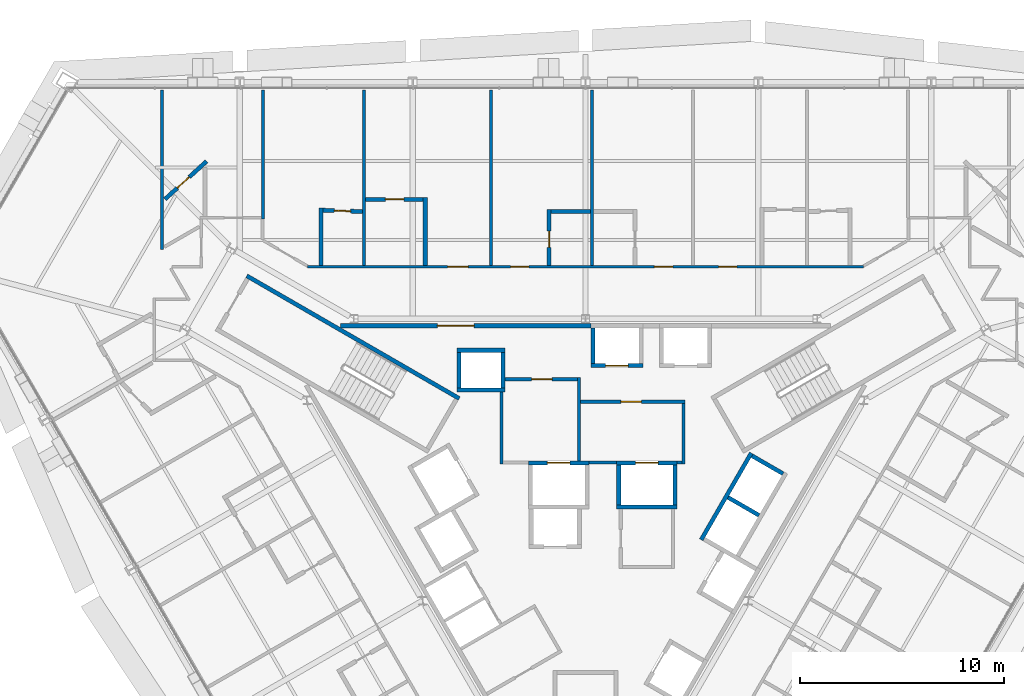
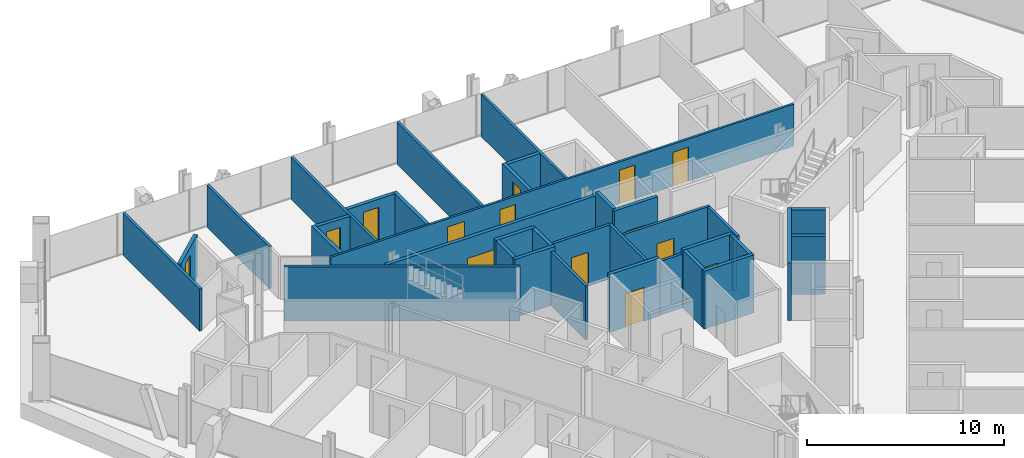
# One storey, part 13 of 17: 36 walls, 14 doors, 14 openings.
"""IFC4 building model written with IfcOpenShell, lengths in metres."""

import ifcopenshell
import ifcopenshell.guid

model = None  # the IFC model being written
_history = None  # IfcOwnerHistory: only IFC2X3 demands one
_inside = {}  # id of a spatial element -> (the spatial element, [elements in it])
_under = {}  # id of a project, library or spatial element -> (it, [spatial elements below it])
_declared = {}  # id of a project -> (the project, [libraries it declares])
_typed = {}  # id of a type object -> (the type object, [elements of that type])
_made_of = {}  # id of a material, layer set ... -> (it, [elements and type objects made of it])


def new_model(schema):
    """Start an empty IFC model of exactly this schema.

    Asked for "IFC4X3", IfcOpenShell would pick the latest addendum, in which some entities
    have other attributes; the version numbers below select the first issue.
    IFC2X3 requires an IfcOwnerHistory on every rooted entity: one is made here for all.
    """
    global model, _history
    if schema == "IFC4X3":
        model = ifcopenshell.file(schema_version=(4, 3, 0, 0))
    else:
        model = ifcopenshell.file(schema=schema)
    _inside.clear()
    _under.clear()
    _declared.clear()
    _typed.clear()
    _made_of.clear()
    _history = None
    if model.schema == "IFC2X3":
        org = make("IfcOrganization", Name="unknown")
        user = make(
            "IfcPersonAndOrganization",
            ThePerson=make("IfcPerson", FamilyName="unknown"),
            TheOrganization=org,
        )
        app = make(
            "IfcApplication",
            ApplicationDeveloper=org,
            Version="unknown",
            ApplicationFullName="unknown",
            ApplicationIdentifier="unknown",
        )
        _history = make(
            "IfcOwnerHistory",
            OwningUser=user,
            OwningApplication=app,
            ChangeAction="ADDED",
            CreationDate=0,
        )
    return model


def make(cls, **values):
    """One entity of the class cls with the attributes given. An attribute that is None is left unset."""
    return model.create_entity(
        cls, **{name: value for name, value in values.items() if value is not None}
    )


def rooted(cls, **values):
    """An entity with a GlobalId (a new one), such as an element, a storey or a relation."""
    return make(cls, GlobalId=ifcopenshell.guid.new(), OwnerHistory=_history, **values)


def si_unit(unit_type, name, prefix=None):
    """IfcSIUnit, for example si_unit("LENGTHUNIT", "METRE", prefix="MILLI")."""
    return make("IfcSIUnit", UnitType=unit_type, Prefix=prefix, Name=name)


def assignment(units):
    """IfcUnitAssignment: the units of a project."""
    return None if units is None else make("IfcUnitAssignment", Units=units)


def point(xyz):
    """IfcCartesianPoint."""
    return None if xyz is None else make("IfcCartesianPoint", Coordinates=xyz)


def direction(xyz):
    """IfcDirection."""
    return None if xyz is None else make("IfcDirection", DirectionRatios=xyz)


def frame(location, z_axis=None, x_axis=None):
    """IfcAxis2Placement3D, a coordinate frame: its origin and axes. An axis left out is left unset."""
    return make(
        "IfcAxis2Placement3D",
        Location=point(location),
        Axis=direction(z_axis),
        RefDirection=direction(x_axis),
    )


def frame_2d(location, x_axis=None):
    """IfcAxis2Placement2D, a coordinate frame in the plane: its origin and x axis."""
    return make(
        "IfcAxis2Placement2D", Location=point(location), RefDirection=direction(x_axis)
    )


def origin():
    """The frame at (0, 0, 0) with its axes left unset."""
    return frame((0.0, 0.0, 0.0))


def place(relative_to, where):
    """IfcLocalPlacement: puts the frame where relative to a parent placement (None: the world)."""
    return make(
        "IfcLocalPlacement", PlacementRelTo=relative_to, RelativePlacement=where
    )


def context(
    kind, dimensions, precision=None, world=None, true_north=None, identifier=None
):
    """IfcGeometricRepresentationContext, for example the 3D "Model" context."""
    return make(
        "IfcGeometricRepresentationContext",
        ContextIdentifier=identifier,
        ContextType=kind,
        CoordinateSpaceDimension=dimensions,
        Precision=precision,
        WorldCoordinateSystem=world,
        TrueNorth=true_north,
    )


def subcontext(parent, identifier, kind, view, scale=None):
    """IfcGeometricRepresentationSubContext, for example "Body" below "Model"."""
    return make(
        "IfcGeometricRepresentationSubContext",
        ContextIdentifier=identifier,
        ContextType=kind,
        ParentContext=parent,
        TargetScale=scale,
        TargetView=view,
    )


def project(units=None, contexts=None):
    """IfcProject with its units and contexts."""
    return rooted(
        "IfcProject",
        Name="project",
        RepresentationContexts=contexts,
        UnitsInContext=assignment(units),
    )


def spatial(cls, under=None, at=None, **own):
    """A site, building, storey or space (cls), placed at a placement, below another one or the project."""
    s = rooted(cls, ObjectPlacement=at, **own)
    if under is not None:
        _under.setdefault(under.id(), (under, []))[1].append(s)
    return s


def profile(cls, at=None, kind="AREA", **sizes):
    """A parametric profile (cls). Its sizes go by their IFC names, for example OverallWidth=200.0."""
    return make(cls, ProfileType=kind, Position=at, **sizes)


def rectangle(**sizes):
    """IfcRectangleProfileDef."""
    return profile("IfcRectangleProfileDef", **sizes)


def extrude(swept, where, along, depth):
    """IfcExtrudedAreaSolid: the profile swept, set in the frame where, extruded along a direction by depth."""
    return make(
        "IfcExtrudedAreaSolid",
        SweptArea=swept,
        Position=where,
        ExtrudedDirection=direction(along),
        Depth=depth,
    )


def shape(context_of_items, identifier, shape_type, items):
    """IfcShapeRepresentation: the items that make up one representation, for example the "Body"."""
    return make(
        "IfcShapeRepresentation",
        ContextOfItems=context_of_items,
        RepresentationIdentifier=identifier,
        RepresentationType=shape_type,
        Items=items,
    )


def material(Name=None, Category=None):
    """IfcMaterial."""
    return make("IfcMaterial", Name=Name, Category=Category)


def layer(
    of_material, thickness, ventilated=None, Name=None, Category=None, Priority=None
):
    """IfcMaterialLayer: one layer of a wall or slab, of a material (None: an air gap)."""
    return make(
        "IfcMaterialLayer",
        Material=of_material,
        LayerThickness=thickness,
        IsVentilated=ventilated,
        Name=Name,
        Category=Category,
        Priority=Priority,
    )


def layer_set(layers, Name=None):
    """IfcMaterialLayerSet."""
    return make("IfcMaterialLayerSet", MaterialLayers=layers, LayerSetName=Name)


def made_of(thing, what):
    """Note that an element or type object is made of a material, layer set ...; save() writes the relation."""
    if what is not None:
        _made_of.setdefault(what.id(), (what, []))[1].append(thing)
    return thing


def type_object(cls, material=None, **own):
    """A type object (cls), such as IfcWallType, which elements share."""
    return made_of(rooted(cls, **own), material)


def element(
    cls,
    number,
    at=None,
    inside=None,
    cuts=None,
    type_object=None,
    material=None,
    context=None,
    identifier="Body",
    shape_type=None,
    held_by="IfcProductDefinitionShape",
    body=None,
    shapes=None,
    **own,
):
    """One element of the class cls, such as IfcWall. Its Tag is "e" and its number.

    at: its placement. inside: the storey or other place that contains it. cuts: it is an
    opening in that element (IfcRelVoidsElement). A single representation is given by context,
    identifier, shape_type and body (its items); several are given by shapes. held_by: the class
    of the entity that holds the representations. save() writes the other relations.
    """
    e = rooted(cls, Tag="e%d" % number, ObjectPlacement=at, **own)
    if body is not None:
        shapes = [shape(context, identifier, shape_type, body)]
    if shapes is not None:
        e.Representation = make(held_by, Representations=shapes)
    if inside is not None:
        _inside.setdefault(inside.id(), (inside, []))[1].append(e)
    if cuts is not None:
        rooted(
            "IfcRelVoidsElement", RelatingBuildingElement=cuts, RelatedOpeningElement=e
        )
    if type_object is not None:
        _typed.setdefault(type_object.id(), (type_object, []))[1].append(e)
    return made_of(e, material)


def fill(opening, filler):
    """IfcRelFillsElement: the door or window that sits in an opening."""
    return rooted(
        "IfcRelFillsElement",
        RelatingOpeningElement=opening,
        RelatedBuildingElement=filler,
    )


def aggregate(whole, parts):
    """IfcRelAggregates: a whole, such as a stair, and the parts it consists of."""
    return rooted("IfcRelAggregates", RelatingObject=whole, RelatedObjects=parts)


def save(model, path):
    """Write the relations noted so far, then the file.

    IfcRelAggregates (storeys below a building ...), IfcRelContainedInSpatialStructure (elements
    in a storey), IfcRelDefinesByType, IfcRelAssociatesMaterial and IfcRelDeclares: one each for
    every whole, place, type object, material and project.
    """
    for whole, parts in _under.values():
        aggregate(whole, parts)
    for where, things in _inside.values():
        rooted(
            "IfcRelContainedInSpatialStructure",
            RelatedElements=things,
            RelatingStructure=where,
        )
    for kind, things in _typed.values():
        rooted("IfcRelDefinesByType", RelatedObjects=things, RelatingType=kind)
    for what, things in _made_of.values():
        rooted("IfcRelAssociatesMaterial", RelatedObjects=things, RelatingMaterial=what)
    for by, libraries in _declared.values():
        rooted("IfcRelDeclares", RelatingContext=by, RelatedDefinitions=libraries)
    model.write(path)


model = new_model("IFC4")

# Units and contexts
model_context = context("Model", 3, precision=1e-05, world=origin(), true_north=direction((0.0, 1.0)))
body_context = subcontext(model_context, "Body", "Model", "MODEL_VIEW")
ifc_project = project(units=[si_unit("LENGTHUNIT", "METRE"), si_unit("AREAUNIT", "SQUARE_METRE"), si_unit("VOLUMEUNIT", "CUBIC_METRE"), si_unit("PLANEANGLEUNIT", "RADIAN"), si_unit("MASSUNIT", "GRAM", prefix="KILO")], contexts=[model_context])

# Site, building, storey
site_placement = place(None, origin())
site = spatial("IfcSite", under=ifc_project, at=site_placement, CompositionType="ELEMENT")
building_placement = place(site_placement, origin())
building = spatial("IfcBuilding", under=site, at=building_placement, Name="Verrane Prism Tower", CompositionType="ELEMENT")
storey_placement = place(building_placement, frame((0.0, 0.0, 40.39990234375)))
storey = spatial("IfcBuildingStorey", under=building, at=storey_placement, Name="L07", CompositionType="ELEMENT", Elevation=40.39990234375)

# Wall, opening, door
ifc_material_1 = material(Name="Gypsum board partition", Category="other")
ifc_layer_1 = layer(ifc_material_1, 0.199951171875)
ifc_layer_set_1 = layer_set([ifc_layer_1], Name="CW-200 core boundary wall 2 h")
wall_type_1 = type_object("IfcWallType", Name="CW-200 core boundary wall 2 h", PredefinedType="PARTITIONING", material=ifc_layer_set_1)
wall_1_placement = place(storey_placement, frame((0.262939453125, 8.860107421875, 0.0), z_axis=(0.0, 0.0, 1.0), x_axis=(-1.0, 0.0, 0.0)))
wall_1 = element("IfcWall", 1, at=wall_1_placement, inside=storey, type_object=wall_type_1, Name="Core boundary wall CW3-009", PredefinedType="PARTITIONING", context=body_context, shape_type="SweptSolid", body=[
    extrude(rectangle(XDim=12.25390625, YDim=0.199951171875, at=frame_2d((6.126953125, 0.0))), origin(), (0.0, 0.0, 1.0), 3.35009765625),
])
opening_1_placement = place(wall_1_placement, frame((5.708984375, 0.0, 0.0)))
opening_1 = element("IfcOpeningElement", 2, at=opening_1_placement, cuts=wall_1, Name="Opening D06524", PredefinedType="OPENING", context=body_context, shape_type="SweptSolid", body=[
    extrude(rectangle(XDim=1.800048828125, YDim=2.10009765625, at=frame_2d((0.89990234375, 1.050048828125))), frame((0.0, 0.10986328125, 0.0), z_axis=(0.0, -1.0, 0.0), x_axis=(1.0, 0.0, 0.0)), (0.0, 0.0, 1.0), 0.219970703125),
])
ifc_material_2 = material(Name="Timber veneered door leaf", Category="wood")
door_type_1 = type_object("IfcDoorType", Name="DR-1800x2100 FD60 double leaf lift lobby", OperationType="NOTDEFINED", PredefinedType="DOOR", material=ifc_material_2)
door_1_placement = place(opening_1_placement, origin())
door_1 = element("IfcDoor", 3, at=door_1_placement, inside=storey, type_object=door_type_1, Name="Lift lobby door D06524", OperationType="DOUBLE_DOOR_SINGLE_SWING", OverallHeight=2.10009765625, OverallWidth=1.800048828125, PredefinedType="DOOR", context=body_context, shape_type="SweptSolid", body=[
    extrude(rectangle(XDim=1.800048828125, YDim=2.10009765625, at=frame_2d((0.89990234375, 1.050048828125))), frame((0.0, 0.02490234375, 0.0), z_axis=(0.0, -1.0, 0.0), x_axis=(1.0, 0.0, 0.0)), (0.0, 0.0, 1.0), 0.050048828125),
])
fill(opening_1, door_1)

# Walls
ifc_material_3 = material(Name="Concrete C40/50", Category="concrete")
ifc_layer_2 = layer(ifc_material_3, 0.199951171875)
ifc_layer_set_2 = layer_set([ifc_layer_2], Name="CW-200 stair core wall concrete C40/50 3 h")
wall_type_2 = type_object("IfcWallType", Name="CW-200 stair core wall concrete C40/50 3 h", PredefinedType="PARTITIONING", material=ifc_layer_set_2)
wall_2_placement = place(storey_placement, frame((-6.17822265625, 5.299072265625, 0.0), z_axis=(0.0, 0.0, 1.0), x_axis=(-0.866026010844, 0.49999894854, 0.0)))
element("IfcWall", 4, at=wall_2_placement, inside=storey, type_object=wall_type_2, Name="Stair 2 enclosure wall", PredefinedType="PARTITIONING", context=body_context, shape_type="SweptSolid", body=[
    extrude(rectangle(XDim=12.0, YDim=0.199951171875, at=frame_2d((6.0, 0.0))), origin(), (0.0, 0.0, 1.0), 3.35009765625),
])
ifc_material_4 = material(Name="Gypsum board shaft wall assembly", Category="other")
ifc_layer_3 = layer(ifc_material_4, 0.199951171875)
ifc_layer_set_3 = layer_set([ifc_layer_3], Name="HW-200 lift shaft wall 2 h")
wall_type_3 = type_object("IfcWallType", Name="HW-200 lift shaft wall 2 h", PredefinedType="PARTITIONING", material=ifc_layer_set_3)
wall_3_placement = place(storey_placement, frame((1.52490234375, 0.0, 0.0), z_axis=(0.0, 0.0, 1.0), x_axis=(1.0, 0.0, 0.0)))
element("IfcWall", 5, at=wall_3_placement, inside=storey, type_object=wall_type_3, Name="Lift shaft wall", PredefinedType="PARTITIONING", context=body_context, shape_type="SweptSolid", body=[
    extrude(rectangle(XDim=2.9501953125, YDim=0.199951171875, at=frame_2d((1.47509765625, 0.0))), origin(), (0.0, 0.0, 1.0), 3.60009765625),
])

# Wall, opening, door
wall_4_placement = place(storey_placement, frame((-2.784912109375, 2.14990234375, 0.0), z_axis=(0.0, 0.0, 1.0), x_axis=(1.0, 0.0, 0.0)))
wall_4 = element("IfcWall", 6, at=wall_4_placement, inside=storey, type_object=wall_type_3, Name="Lift shaft wall", PredefinedType="PARTITIONING", context=body_context, shape_type="SweptSolid", body=[
    extrude(rectangle(XDim=2.949951171875, YDim=0.199951171875, at=frame_2d((1.47509765625, 0.0))), origin(), (0.0, 0.0, 1.0), 3.60009765625),
])
opening_2_placement = place(wall_4_placement, frame((0.925048828125, 0.0, 0.0)))
opening_2 = element("IfcOpeningElement", 7, at=opening_2_placement, cuts=wall_4, Name="Opening D06512", PredefinedType="OPENING", context=body_context, shape_type="SweptSolid", body=[
    extrude(rectangle(XDim=1.10009765625, YDim=2.10009765625, at=frame_2d((0.550048828125, 1.050048828125))), frame((0.0, 0.10986328125, 0.0), z_axis=(0.0, -1.0, 0.0), x_axis=(1.0, 0.0, 0.0)), (0.0, 0.0, 1.0), 0.219970703125),
])
ifc_material_5 = material(Name="Stainless steel sliding landing door", Category="steel")
door_type_2 = type_object("IfcDoorType", Name="LD-1100x2100 lift landing door FD90 sliding", OperationType="NOTDEFINED", PredefinedType="DOOR", material=ifc_material_5)
door_2_placement = place(opening_2_placement, origin())
door_2 = element("IfcDoor", 8, at=door_2_placement, inside=storey, type_object=door_type_2, Name="Fire service lift 1 landing door", OperationType="SLIDING_TO_LEFT", OverallHeight=2.10009765625, OverallWidth=1.10009765625, PredefinedType="DOOR", context=body_context, shape_type="SweptSolid", body=[
    extrude(rectangle(XDim=1.10009765625, YDim=2.10009765625, at=frame_2d((0.550048828125, 1.050048828125))), frame((0.0, 0.02490234375, 0.0), z_axis=(0.0, -1.0, 0.0), x_axis=(1.0, 0.0, 0.0)), (0.0, 0.0, 1.0), 0.050048828125),
])
fill(opening_2, door_2)

wall_5_placement = place(storey_placement, frame((1.52490234375, 2.14990234375, 0.0), z_axis=(0.0, 0.0, 1.0), x_axis=(1.0, 0.0, 0.0)))
wall_5 = element("IfcWall", 9, at=wall_5_placement, inside=storey, type_object=wall_type_3, Name="Lift shaft wall", PredefinedType="PARTITIONING", context=body_context, shape_type="SweptSolid", body=[
    extrude(rectangle(XDim=2.9501953125, YDim=0.199951171875, at=frame_2d((1.47509765625, 0.0))), origin(), (0.0, 0.0, 1.0), 3.60009765625),
])
opening_3_placement = place(wall_5_placement, frame((0.925048828125, 0.0, 0.0)))
opening_3 = element("IfcOpeningElement", 10, at=opening_3_placement, cuts=wall_5, Name="Opening D06513", PredefinedType="OPENING", context=body_context, shape_type="SweptSolid", body=[
    extrude(rectangle(XDim=1.10009765625, YDim=2.10009765625, at=frame_2d((0.550048828125, 1.050048828125))), frame((0.0, 0.10986328125, 0.0), z_axis=(0.0, -1.0, 0.0), x_axis=(1.0, 0.0, 0.0)), (0.0, 0.0, 1.0), 0.219970703125),
])
door_3_placement = place(opening_3_placement, origin())
door_3 = element("IfcDoor", 11, at=door_3_placement, inside=storey, type_object=door_type_2, Name="Fire service lift 2 landing door", OperationType="SLIDING_TO_RIGHT", OverallHeight=2.10009765625, OverallWidth=1.10009765625, PredefinedType="DOOR", context=body_context, shape_type="SweptSolid", body=[
    extrude(rectangle(XDim=1.10009765625, YDim=2.10009765625, at=frame_2d((0.550048828125, 1.050048828125))), frame((0.0, 0.02490234375, 0.0), z_axis=(0.0, -1.0, 0.0), x_axis=(1.0, 0.0, 0.0)), (0.0, 0.0, 1.0), 0.050048828125),
])
fill(opening_3, door_3)

# Wall
wall_6_placement = place(storey_placement, frame((-6.284912109375, 5.7099609375, 0.0), z_axis=(0.0, 0.0, 1.0), x_axis=(1.0, 0.0, 0.0)))
element("IfcWall", 12, at=wall_6_placement, inside=storey, type_object=wall_type_3, Name="Lift shaft wall", PredefinedType="PARTITIONING", context=body_context, shape_type="SweptSolid", body=[
    extrude(rectangle(XDim=2.349853515625, YDim=0.199951171875, at=frame_2d((1.1748046875, 0.0))), origin(), (0.0, 0.0, 1.0), 3.60009765625),
])

# Wall, opening, door
wall_7_placement = place(storey_placement, frame((0.264892578125, 6.909912109375, 0.0), z_axis=(0.0, 0.0, 1.0), x_axis=(1.0, 0.0, 0.0)))
wall_7 = element("IfcWall", 13, at=wall_7_placement, inside=storey, type_object=wall_type_3, Name="Lift shaft wall", PredefinedType="PARTITIONING", context=body_context, shape_type="SweptSolid", body=[
    extrude(rectangle(XDim=2.550048828125, YDim=0.199951171875, at=frame_2d((1.27490234375, 0.0))), origin(), (0.0, 0.0, 1.0), 3.60009765625),
])
opening_4_placement = place(wall_7_placement, frame((0.72509765625, 0.0, 0.0)))
opening_4 = element("IfcOpeningElement", 14, at=opening_4_placement, cuts=wall_7, Name="Opening D06507", PredefinedType="OPENING", context=body_context, shape_type="SweptSolid", body=[
    extrude(rectangle(XDim=1.10009765625, YDim=2.10009765625, at=frame_2d((0.550048828125, 1.050048828125))), frame((0.0, 0.10986328125, 0.0), z_axis=(0.0, -1.0, 0.0), x_axis=(1.0, 0.0, 0.0)), (0.0, 0.0, 1.0), 0.219970703125),
])
door_4_placement = place(opening_4_placement, origin())
door_4 = element("IfcDoor", 15, at=door_4_placement, inside=storey, type_object=door_type_2, Name="Bank A lift 1 landing door", OperationType="SLIDING_TO_LEFT", OverallHeight=2.10009765625, OverallWidth=1.10009765625, PredefinedType="DOOR", context=body_context, shape_type="SweptSolid", body=[
    extrude(rectangle(XDim=1.10009765625, YDim=2.10009765625, at=frame_2d((0.550048828125, 1.050048828125))), frame((0.0, 0.02490234375, 0.0), z_axis=(0.0, -1.0, 0.0), x_axis=(1.0, 0.0, 0.0)), (0.0, 0.0, 1.0), 0.050048828125),
])
fill(opening_4, door_4)

# Walls
wall_8_placement = place(storey_placement, frame((-6.284912109375, 7.659912109375, 0.0), z_axis=(0.0, 0.0, 1.0), x_axis=(1.0, 0.0, 0.0)))
element("IfcWall", 16, at=wall_8_placement, inside=storey, type_object=wall_type_3, Name="Lift shaft wall", PredefinedType="PARTITIONING", context=body_context, shape_type="SweptSolid", body=[
    extrude(rectangle(XDim=2.349853515625, YDim=0.199951171875, at=frame_2d((1.1748046875, 0.0))), origin(), (0.0, 0.0, 1.0), 3.60009765625),
])
wall_9_placement = place(storey_placement, frame((5.66259765625, -1.6123046875, 0.0), z_axis=(0.0, 0.0, 1.0), x_axis=(0.49998122708, 0.866036242063, 0.0)))
element("IfcWall", 17, at=wall_9_placement, inside=storey, type_object=wall_type_3, Name="Lift shaft wall", PredefinedType="PARTITIONING", context=body_context, shape_type="SweptSolid", body=[
    extrude(rectangle(XDim=4.900146484375, YDim=0.199951171875, at=frame_2d((2.4501953125, 0.0))), origin(), (0.0, 0.0, 1.0), 3.60009765625),
])
for number, where, z_axis, x_axis, name in (
    (18, (4.375, 0.10009765625, 0.0), (0.0, 0.0, 1.0), (0.0, 1.0, 0.0), "Lift shaft wall"),
    (19, (1.625, 0.10009765625, 0.0), (0.0, 0.0, 1.0), (0.0, 1.0, 0.0), "Lift shaft wall"),
):
    element("IfcWall", number, at=place(storey_placement, frame(where, z_axis=z_axis, x_axis=x_axis)), inside=storey, type_object=wall_type_3, Name=name, PredefinedType="PARTITIONING", context=body_context, shape_type="SweptSolid", body=[
        extrude(rectangle(XDim=1.949951171875, YDim=0.199951171875, at=frame_2d((0.97509765625, 0.0))), origin(), (0.0, 0.0, 1.0), 3.60009765625),
    ])
for number, where, z_axis, x_axis, name in (
    (20, (0.364990234375, 7.010009765625, 0.0), (0.0, 0.0, 1.0), (0.0, 1.0, 0.0), "Lift shaft wall"),
    (21, (-4.034912109375, 5.81005859375, 0.0), (0.0, 0.0, 1.0), (0.0, 1.0, 0.0), "Lift shaft wall"),
    (22, (-6.18505859375, 5.81005859375, 0.0), (0.0, 0.0, 1.0), (0.0, 1.0, 0.0), "Lift shaft wall"),
):
    element("IfcWall", number, at=place(storey_placement, frame(where, z_axis=z_axis, x_axis=x_axis)), inside=storey, type_object=wall_type_3, Name=name, PredefinedType="PARTITIONING", context=body_context, shape_type="SweptSolid", body=[
        extrude(rectangle(XDim=1.75, YDim=0.199951171875, at=frame_2d((0.875, 0.0))), origin(), (0.0, 0.0, 1.0), 3.60009765625),
    ])
wall_10_placement = place(storey_placement, frame((9.66455078125, 1.61962890625, 0.0), z_axis=(0.0, 0.0, 1.0), x_axis=(-0.866002029911, 0.500040482552, 0.0)))
element("IfcWall", 23, at=wall_10_placement, inside=storey, type_object=wall_type_3, Name="Lift shaft wall", PredefinedType="PARTITIONING", context=body_context, shape_type="SweptSolid", body=[
    extrude(rectangle(XDim=1.749755859375, YDim=0.199951171875, at=frame_2d((0.875, 0.0))), origin(), (0.0, 0.0, 1.0), 3.60009765625),
])
wall_11_placement = place(storey_placement, frame((8.48974609375, -0.41552734375, 0.0), z_axis=(0.0, 0.0, 1.0), x_axis=(-0.866036909293, 0.499980071345, 0.0)))
element("IfcWall", 24, at=wall_11_placement, inside=storey, type_object=wall_type_3, Name="Lift shaft wall", PredefinedType="PARTITIONING", context=body_context, shape_type="SweptSolid", body=[
    extrude(rectangle(XDim=1.75, YDim=0.199951171875, at=frame_2d((0.875, 0.0))), origin(), (0.0, 0.0, 1.0), 3.60009765625),
])
ifc_material_6 = material(Name="Gypsum board partition", Category="other")
ifc_layer_4 = layer(ifc_material_6, 0.14990234375)
ifc_layer_set_4 = layer_set([ifc_layer_4], Name="LF-150 firefighting lobby wall 1 h")
wall_type_4 = type_object("IfcWallType", Name="LF-150 firefighting lobby wall 1 h", PredefinedType="PARTITIONING", material=ifc_layer_set_4)
wall_12_placement = place(storey_placement, frame((-4.10009765625, 2.0849609375, 0.0), z_axis=(0.0, 0.0, 1.0), x_axis=(0.0, 1.0, 0.0)))
element("IfcWall", 25, at=wall_12_placement, inside=storey, type_object=wall_type_4, Name="Firefighting lobby wall LF1-009", PredefinedType="PARTITIONING", context=body_context, shape_type="SweptSolid", body=[
    extrude(rectangle(XDim=3.52294921875, YDim=0.14990234375, at=frame_2d((1.761474609375, 0.0))), origin(), (0.0, 0.0, 1.0), 3.35009765625),
])

# Wall, opening, door
wall_13_placement = place(storey_placement, frame((-3.93310546875, 6.239990234375, 0.0), z_axis=(0.0, 0.0, 1.0), x_axis=(1.0, 0.0, 0.0)))
wall_13 = element("IfcWall", 26, at=wall_13_placement, inside=storey, type_object=wall_type_4, Name="Firefighting lobby wall LF1-011", PredefinedType="PARTITIONING", context=body_context, shape_type="SweptSolid", body=[
    extrude(rectangle(XDim=3.5380859375, YDim=0.14990234375, at=frame_2d((1.76904296875, 0.0))), origin(), (0.0, 0.0, 1.0), 3.35009765625),
])
opening_5_placement = place(wall_13_placement, frame((1.300048828125, 0.0, 0.0)))
opening_5 = element("IfcOpeningElement", 27, at=opening_5_placement, cuts=wall_13, Name="Opening D06528", PredefinedType="OPENING", context=body_context, shape_type="SweptSolid", body=[
    extrude(rectangle(XDim=1.0, YDim=2.10009765625, at=frame_2d((0.5, 1.050048828125))), frame((0.0, 0.0849609375, 0.0), z_axis=(0.0, -1.0, 0.0), x_axis=(1.0, 0.0, 0.0)), (0.0, 0.0, 1.0), 0.169921875),
])
ifc_material_7 = material(Name="Timber veneered door leaf", Category="wood")
door_type_3 = type_object("IfcDoorType", Name="DR-1000x2100 FD60 single leaf firefighting lobby", OperationType="NOTDEFINED", PredefinedType="DOOR", material=ifc_material_7)
door_5_placement = place(opening_5_placement, origin())
door_5 = element("IfcDoor", 28, at=door_5_placement, inside=storey, type_object=door_type_3, Name="Firefighting lobby door D06528", OperationType="SINGLE_SWING_LEFT", OverallHeight=2.10009765625, OverallWidth=1.0, PredefinedType="DOOR", context=body_context, shape_type="SweptSolid", body=[
    extrude(rectangle(XDim=1.0, YDim=2.10009765625, at=frame_2d((0.5, 1.050048828125))), frame((0.0, 0.02490234375, 0.0), z_axis=(0.0, -1.0, 0.0), x_axis=(1.0, 0.0, 0.0)), (0.0, 0.0, 1.0), 0.050048828125),
])
fill(opening_5, door_5)

# Wall
wall_14_placement = place(storey_placement, frame((-0.320068359375, 2.251953125, 0.0), z_axis=(0.0, 0.0, 1.0), x_axis=(0.0, 1.0, 0.0)))
element("IfcWall", 29, at=wall_14_placement, inside=storey, type_object=wall_type_4, Name="Firefighting lobby wall LF1-012", PredefinedType="PARTITIONING", context=body_context, shape_type="SweptSolid", body=[
    extrude(rectangle(XDim=4.06298828125, YDim=0.14990234375, at=frame_2d((2.031494140625, 0.0))), origin(), (0.0, 0.0, 1.0), 3.35009765625),
])

# Wall, opening, door
wall_15_placement = place(storey_placement, frame((-0.2451171875, 5.139892578125, 0.0), z_axis=(0.0, 0.0, 1.0), x_axis=(1.0, 0.0, 0.0)))
wall_15 = element("IfcWall", 30, at=wall_15_placement, inside=storey, type_object=wall_type_4, Name="Firefighting lobby wall LF1-013", PredefinedType="PARTITIONING", context=body_context, shape_type="SweptSolid", body=[
    extrude(rectangle(XDim=5.110107421875, YDim=0.14990234375, at=frame_2d((2.55517578125, 0.0))), origin(), (0.0, 0.0, 1.0), 3.35009765625),
])
opening_6_placement = place(wall_15_placement, frame((1.97509765625, 0.0, 0.0)))
opening_6 = element("IfcOpeningElement", 31, at=opening_6_placement, cuts=wall_15, Name="Opening D06529", PredefinedType="OPENING", context=body_context, shape_type="SweptSolid", body=[
    extrude(rectangle(XDim=1.0, YDim=2.10009765625, at=frame_2d((0.5, 1.050048828125))), frame((0.0, 0.0849609375, 0.0), z_axis=(0.0, -1.0, 0.0), x_axis=(1.0, 0.0, 0.0)), (0.0, 0.0, 1.0), 0.169921875),
])
door_6_placement = place(opening_6_placement, origin())
door_6 = element("IfcDoor", 32, at=door_6_placement, inside=storey, type_object=door_type_3, Name="Firefighting lobby door D06529", OperationType="SINGLE_SWING_RIGHT", OverallHeight=2.10009765625, OverallWidth=1.0, PredefinedType="DOOR", context=body_context, shape_type="SweptSolid", body=[
    extrude(rectangle(XDim=1.0, YDim=2.10009765625, at=frame_2d((0.5, 1.050048828125))), frame((0.0, 0.02490234375, 0.0), z_axis=(0.0, -1.0, 0.0), x_axis=(1.0, 0.0, 0.0)), (0.0, 0.0, 1.0), 0.050048828125),
])
fill(opening_6, door_6)

# Walls
wall_16_placement = place(storey_placement, frame((0.1669921875, 2.159912109375, 0.0), z_axis=(0.0, 0.0, 1.0), x_axis=(1.0, 0.0, 0.0)))
element("IfcWall", 33, at=wall_16_placement, inside=storey, type_object=wall_type_4, Name="Firefighting lobby wall LF1-014", PredefinedType="PARTITIONING", context=body_context, shape_type="SweptSolid", body=[
    extrude(rectangle(XDim=1.35595703125, YDim=0.14990234375, at=frame_2d((0.677978515625, 0.0))), origin(), (0.0, 0.0, 1.0), 3.35009765625),
])
wall_17_placement = place(storey_placement, frame((4.47705078125, 2.159912109375, 0.0), z_axis=(0.0, 0.0, 1.0), x_axis=(1.0, 0.0, 0.0)))
element("IfcWall", 34, at=wall_17_placement, inside=storey, type_object=wall_type_4, Name="Firefighting lobby wall LF1-015", PredefinedType="PARTITIONING", context=body_context, shape_type="SweptSolid", body=[
    extrude(rectangle(XDim=0.238037109375, YDim=0.14990234375, at=frame_2d((0.119140625, 0.0))), origin(), (0.0, 0.0, 1.0), 3.35009765625),
])
wall_18_placement = place(storey_placement, frame((4.7900390625, 2.0849609375, 0.0), z_axis=(0.0, 0.0, 1.0), x_axis=(0.0, 1.0, 0.0)))
element("IfcWall", 35, at=wall_18_placement, inside=storey, type_object=wall_type_4, Name="Firefighting lobby wall LF1-016", PredefinedType="PARTITIONING", context=body_context, shape_type="SweptSolid", body=[
    extrude(rectangle(XDim=2.97998046875, YDim=0.14990234375, at=frame_2d((1.489990234375, 0.0))), origin(), (0.0, 0.0, 1.0), 3.35009765625),
])

# Wall, openings, doors
ifc_material_8 = material(Name="Gypsum board partition", Category="other")
ifc_layer_5 = layer(ifc_material_8, 0.125)
ifc_layer_set_5 = layer_set([ifc_layer_5], Name="PW-125 corridor wall 1 h")
wall_type_5 = type_object("IfcWallType", Name="PW-125 corridor wall 1 h", PredefinedType="PARTITIONING", material=ifc_layer_set_5)
wall_19_placement = place(storey_placement, frame((-13.598388671875, 11.740966796875, 0.0), z_axis=(0.0, 0.0, 1.0), x_axis=(1.0, 0.0, 0.0)))
wall_19 = element("IfcWall", 36, at=wall_19_placement, inside=storey, type_object=wall_type_5, Name="Corridor wall 030", PredefinedType="PARTITIONING", context=body_context, shape_type="SweptSolid", body=[
    extrude(rectangle(XDim=27.19677734375, YDim=0.125, at=frame_2d((13.598388671875, 0.0))), origin(), (0.0, 0.0, 1.0), 2.613037109375),
])
opening_7_placement = place(wall_19_placement, frame((20.107421875, 0.0, 0.0)))
opening_7 = element("IfcOpeningElement", 37, at=opening_7_placement, cuts=wall_19, Name="Opening D06005", PredefinedType="OPENING", context=body_context, shape_type="SweptSolid", body=[
    extrude(rectangle(XDim=0.89990234375, YDim=2.10009765625, at=frame_2d((0.449951171875, 1.050048828125))), frame((0.0, 0.072509765625, 0.0), z_axis=(0.0, -1.0, 0.0), x_axis=(1.0, 0.0, 0.0)), (0.0, 0.0, 1.0), 0.14501953125),
])
opening_8_placement = place(wall_19_placement, frame((16.970458984375, 0.0, 0.0)))
opening_8 = element("IfcOpeningElement", 38, at=opening_8_placement, cuts=wall_19, Name="Opening D06007", PredefinedType="OPENING", context=body_context, shape_type="SweptSolid", body=[
    extrude(rectangle(XDim=0.89990234375, YDim=2.10009765625, at=frame_2d((0.449951171875, 1.050048828125))), frame((0.0, 0.072509765625, 0.0), z_axis=(0.0, -1.0, 0.0), x_axis=(1.0, 0.0, 0.0)), (0.0, 0.0, 1.0), 0.14501953125),
])
opening_9_placement = place(wall_19_placement, frame((9.93359375, 0.0, 0.0)))
opening_9 = element("IfcOpeningElement", 39, at=opening_9_placement, cuts=wall_19, Name="Opening D06009", PredefinedType="OPENING", context=body_context, shape_type="SweptSolid", body=[
    extrude(rectangle(XDim=0.89990234375, YDim=2.10009765625, at=frame_2d((0.449951171875, 1.050048828125))), frame((0.0, 0.072509765625, 0.0), z_axis=(0.0, -1.0, 0.0), x_axis=(1.0, 0.0, 0.0)), (0.0, 0.0, 1.0), 0.14501953125),
])
opening_10_placement = place(wall_19_placement, frame((6.8583984375, 0.0, 0.0)))
opening_10 = element("IfcOpeningElement", 40, at=opening_10_placement, cuts=wall_19, Name="Opening D06011", PredefinedType="OPENING", context=body_context, shape_type="SweptSolid", body=[
    extrude(rectangle(XDim=1.0, YDim=2.10009765625, at=frame_2d((0.5, 1.050048828125))), frame((0.0, 0.072509765625, 0.0), z_axis=(0.0, -1.0, 0.0), x_axis=(1.0, 0.0, 0.0)), (0.0, 0.0, 1.0), 0.14501953125),
])
ifc_material_9 = material(Name="Timber veneered door leaf", Category="wood")
door_type_4 = type_object("IfcDoorType", Name="DR-1000x2100 FD20 single leaf unit", OperationType="NOTDEFINED", PredefinedType="DOOR", material=ifc_material_9)
door_7_placement = place(opening_10_placement, origin())
door_7 = element("IfcDoor", 41, at=door_7_placement, inside=storey, type_object=door_type_4, Name="Accessible Guest Room door", OperationType="SINGLE_SWING_LEFT", OverallHeight=2.10009765625, OverallWidth=1.0, PredefinedType="DOOR", context=body_context, shape_type="SweptSolid", body=[
    extrude(rectangle(XDim=1.0, YDim=2.10009765625, at=frame_2d((0.5, 1.050048828125))), frame((0.0, 0.02490234375, 0.0), z_axis=(0.0, -1.0, 0.0), x_axis=(1.0, 0.0, 0.0)), (0.0, 0.0, 1.0), 0.050048828125),
])
fill(opening_10, door_7)
ifc_material_10 = material(Name="Timber veneered door leaf", Category="wood")
door_type_5 = type_object("IfcDoorType", Name="DR-900x2100 FD20 single leaf unit", OperationType="NOTDEFINED", PredefinedType="DOOR", material=ifc_material_10)
door_8_placement = place(opening_7_placement, origin())
door_8 = element("IfcDoor", 42, at=door_8_placement, inside=storey, type_object=door_type_5, Name="Guest Room door", OperationType="SINGLE_SWING_LEFT", OverallHeight=2.10009765625, OverallWidth=0.89990234375, PredefinedType="DOOR", context=body_context, shape_type="SweptSolid", body=[
    extrude(rectangle(XDim=0.89990234375, YDim=2.10009765625, at=frame_2d((0.449951171875, 1.050048828125))), frame((0.0, 0.02490234375, 0.0), z_axis=(0.0, -1.0, 0.0), x_axis=(1.0, 0.0, 0.0)), (0.0, 0.0, 1.0), 0.050048828125),
])
fill(opening_7, door_8)
door_9_placement = place(opening_8_placement, origin())
door_9 = element("IfcDoor", 43, at=door_9_placement, inside=storey, type_object=door_type_5, Name="Guest Room door", OperationType="SINGLE_SWING_LEFT", OverallHeight=2.10009765625, OverallWidth=0.89990234375, PredefinedType="DOOR", context=body_context, shape_type="SweptSolid", body=[
    extrude(rectangle(XDim=0.89990234375, YDim=2.10009765625, at=frame_2d((0.449951171875, 1.050048828125))), frame((0.0, 0.02490234375, 0.0), z_axis=(0.0, -1.0, 0.0), x_axis=(1.0, 0.0, 0.0)), (0.0, 0.0, 1.0), 0.050048828125),
])
fill(opening_8, door_9)
door_10_placement = place(opening_9_placement, origin())
door_10 = element("IfcDoor", 44, at=door_10_placement, inside=storey, type_object=door_type_5, Name="Guest Room door", OperationType="SINGLE_SWING_LEFT", OverallHeight=2.10009765625, OverallWidth=0.89990234375, PredefinedType="DOOR", context=body_context, shape_type="SweptSolid", body=[
    extrude(rectangle(XDim=0.89990234375, YDim=2.10009765625, at=frame_2d((0.449951171875, 1.050048828125))), frame((0.0, 0.02490234375, 0.0), z_axis=(0.0, -1.0, 0.0), x_axis=(1.0, 0.0, 0.0)), (0.0, 0.0, 1.0), 0.050048828125),
])
fill(opening_9, door_10)

# Walls
ifc_material_11 = material(Name="Gypsum board partition", Category="other")
ifc_layer_6 = layer(ifc_material_11, 0.14990234375)
ifc_layer_set_6 = layer_set([ifc_layer_6], Name="PW-150 demising wall 1 h")
wall_type_6 = type_object("IfcWallType", Name="PW-150 demising wall 1 h", PredefinedType="PARTITIONING", material=ifc_layer_set_6)
wall_20_placement = place(storey_placement, frame((-20.715087890625, 12.576904296875, 0.0), z_axis=(0.0, 0.0, 1.0), x_axis=(0.0, 1.0, 0.0)))
element("IfcWall", 45, at=wall_20_placement, inside=storey, type_object=wall_type_6, Name="Demising wall 011", PredefinedType="PARTITIONING", context=body_context, shape_type="SweptSolid", body=[
    extrude(rectangle(XDim=7.818115234375, YDim=0.14990234375, at=frame_2d((3.9091796875, 0.0))), origin(), (0.0, 0.0, 1.0), 2.613037109375),
])
wall_21_placement = place(storey_placement, frame((-15.778076171875, 14.072509765625, 0.0), z_axis=(0.0, 0.0, 1.0), x_axis=(0.0, 1.0, 0.0)))
element("IfcWall", 46, at=wall_21_placement, inside=storey, type_object=wall_type_6, Name="Demising wall 026", PredefinedType="PARTITIONING", context=body_context, shape_type="SweptSolid", body=[
    extrude(rectangle(XDim=6.322509765625, YDim=0.14990234375, at=frame_2d((3.1611328125, 0.0))), origin(), (0.0, 0.0, 1.0), 2.613037109375),
])
for number, where, z_axis, x_axis, name in (
    (47, (-10.840087890625, 11.803466796875, 0.0), (0.0, 0.0, 1.0), (0.0, 1.0, 0.0), "Demising wall 038"),
    (48, (-4.614990234375, 11.803466796875, 0.0), (0.0, 0.0, 1.0), (0.0, 1.0, 0.0), "Demising wall 047"),
    (49, (0.322021484375, 11.803466796875, 0.0), (0.0, 0.0, 1.0), (0.0, 1.0, 0.0), "Demising wall 054"),
):
    element("IfcWall", number, at=place(storey_placement, frame(where, z_axis=z_axis, x_axis=x_axis)), inside=storey, type_object=wall_type_6, Name=name, PredefinedType="PARTITIONING", context=body_context, shape_type="SweptSolid", body=[
        extrude(rectangle(XDim=8.591552734375, YDim=0.14990234375, at=frame_2d((4.2958984375, 0.0))), origin(), (0.0, 0.0, 1.0), 2.613037109375),
    ])

# Wall, opening, door
ifc_material_12 = material(Name="Gypsum board partition", Category="other")
ifc_layer_7 = layer(ifc_material_12, 0.199951171875)
ifc_layer_set_7 = layer_set([ifc_layer_7], Name="PW-200 plumbing wall")
wall_type_7 = type_object("IfcWallType", Name="PW-200 plumbing wall", PredefinedType="PARTITIONING", material=ifc_layer_set_7)
wall_22_placement = place(storey_placement, frame((-18.541259765625, 16.904541015625, 0.0), z_axis=(0.0, 0.0, 1.0), x_axis=(-0.738508553587, -0.674244107337, 0.0)))
wall_22 = element("IfcWall", 50, at=wall_22_placement, inside=storey, type_object=wall_type_7, Name="Plumbing wall 013", PredefinedType="PARTITIONING", context=body_context, shape_type="SweptSolid", body=[
    extrude(rectangle(XDim=2.75048828125, YDim=0.199951171875, at=frame_2d((1.375244140625, 0.0))), origin(), (0.0, 0.0, 1.0), 2.613037109375),
])
opening_11_placement = place(wall_22_placement, frame((1.143310546875, 0.0, 0.0)))
opening_11 = element("IfcOpeningElement", 51, at=opening_11_placement, cuts=wall_22, Name="Opening D06016", PredefinedType="OPENING", context=body_context, shape_type="SweptSolid", body=[
    extrude(rectangle(XDim=0.800048828125, YDim=2.10009765625, at=frame_2d((0.39990234375, 1.050048828125))), frame((0.0, 0.10986328125, 0.0), z_axis=(0.0, -1.0, 0.0), x_axis=(1.0, 0.0, 0.0)), (0.0, 0.0, 1.0), 0.219970703125),
])
ifc_material_13 = material(Name="Timber veneered door leaf", Category="wood")
door_type_6 = type_object("IfcDoorType", Name="DR-800x2100 single leaf bath", OperationType="NOTDEFINED", PredefinedType="DOOR", material=ifc_material_13)
door_11_placement = place(opening_11_placement, origin())
door_11 = element("IfcDoor", 52, at=door_11_placement, inside=storey, type_object=door_type_6, Name="En-Suite door", OperationType="SINGLE_SWING_LEFT", OverallHeight=2.10009765625, OverallWidth=0.800048828125, PredefinedType="DOOR", context=body_context, shape_type="SweptSolid", body=[
    extrude(rectangle(XDim=0.800048828125, YDim=2.10009765625, at=frame_2d((0.39990234375, 1.050048828125))), frame((0.0, 0.02490234375, 0.0), z_axis=(0.0, -1.0, 0.0), x_axis=(1.0, 0.0, 0.0)), (0.0, 0.0, 1.0), 0.050048828125),
])
fill(opening_11, door_11)

# Wall
wall_23_placement = place(storey_placement, frame((-12.93994140625, 11.803466796875, 0.0), z_axis=(0.0, 0.0, 1.0), x_axis=(0.0, 1.0, 0.0)))
element("IfcWall", 53, at=wall_23_placement, inside=storey, type_object=wall_type_7, Name="Plumbing wall 032", PredefinedType="PARTITIONING", context=body_context, shape_type="SweptSolid", body=[
    extrude(rectangle(XDim=2.8115234375, YDim=0.199951171875, at=frame_2d((1.40576171875, 0.0))), origin(), (0.0, 0.0, 1.0), 2.613037109375),
])

# Wall, opening, door
wall_24_placement = place(storey_placement, frame((-10.91845703125, 14.44384765625, 0.0), z_axis=(0.0, 0.0, 1.0), x_axis=(-0.999382486529, 0.035137524367, 0.0)))
wall_24 = element("IfcWall", 54, at=wall_24_placement, inside=storey, type_object=wall_type_7, Name="Plumbing wall 033", PredefinedType="PARTITIONING", context=body_context, shape_type="SweptSolid", body=[
    extrude(rectangle(XDim=1.917724609375, YDim=0.199951171875, at=frame_2d((0.958984375, 0.0))), origin(), (0.0, 0.0, 1.0), 2.613037109375),
])
opening_12_placement = place(wall_24_placement, frame((0.57275390625, 0.0, 0.0)))
opening_12 = element("IfcOpeningElement", 55, at=opening_12_placement, cuts=wall_24, Name="Opening D06014", PredefinedType="OPENING", context=body_context, shape_type="SweptSolid", body=[
    extrude(rectangle(XDim=0.800048828125, YDim=2.10009765625, at=frame_2d((0.39990234375, 1.050048828125))), frame((0.0, 0.10986328125, 0.0), z_axis=(0.0, -1.0, 0.0), x_axis=(1.0, 0.0, 0.0)), (0.0, 0.0, 1.0), 0.219970703125),
])
door_12_placement = place(opening_12_placement, origin())
door_12 = element("IfcDoor", 56, at=door_12_placement, inside=storey, type_object=door_type_6, Name="En-Suite door", OperationType="SINGLE_SWING_LEFT", OverallHeight=2.10009765625, OverallWidth=0.800048828125, PredefinedType="DOOR", context=body_context, shape_type="SweptSolid", body=[
    extrude(rectangle(XDim=0.800048828125, YDim=2.10009765625, at=frame_2d((0.39990234375, 1.050048828125))), frame((0.0, 0.02490234375, 0.0), z_axis=(0.0, -1.0, 0.0), x_axis=(1.0, 0.0, 0.0)), (0.0, 0.0, 1.0), 0.050048828125),
])
fill(opening_12, door_12)

wall_25_placement = place(storey_placement, frame((-7.93994140625, 15.041015625, 0.0), z_axis=(0.0, 0.0, 1.0), x_axis=(-1.0, 0.0, 0.0)))
wall_25 = element("IfcWall", 57, at=wall_25_placement, inside=storey, type_object=wall_type_7, Name="Plumbing wall 039", PredefinedType="PARTITIONING", context=body_context, shape_type="SweptSolid", body=[
    extrude(rectangle(XDim=2.824951171875, YDim=0.199951171875, at=frame_2d((1.41259765625, 0.0))), origin(), (0.0, 0.0, 1.0), 2.613037109375),
])
opening_13_placement = place(wall_25_placement, frame((0.949951171875, 0.0, 0.0)))
opening_13 = element("IfcOpeningElement", 58, at=opening_13_placement, cuts=wall_25, Name="Opening D06012", PredefinedType="OPENING", context=body_context, shape_type="SweptSolid", body=[
    extrude(rectangle(XDim=0.89990234375, YDim=2.10009765625, at=frame_2d((0.449951171875, 1.050048828125))), frame((0.0, 0.10986328125, 0.0), z_axis=(0.0, -1.0, 0.0), x_axis=(1.0, 0.0, 0.0)), (0.0, 0.0, 1.0), 0.219970703125),
])
ifc_material_14 = material(Name="Timber veneered door leaf", Category="wood")
door_type_7 = type_object("IfcDoorType", Name="DR-900x2100 single leaf bath", OperationType="NOTDEFINED", PredefinedType="DOOR", material=ifc_material_14)
door_13_placement = place(opening_13_placement, origin())
door_13 = element("IfcDoor", 59, at=door_13_placement, inside=storey, type_object=door_type_7, Name="En-Suite door", OperationType="SINGLE_SWING_LEFT", OverallHeight=2.10009765625, OverallWidth=0.89990234375, PredefinedType="DOOR", context=body_context, shape_type="SweptSolid", body=[
    extrude(rectangle(XDim=0.89990234375, YDim=2.10009765625, at=frame_2d((0.449951171875, 1.050048828125))), frame((0.0, 0.02490234375, 0.0), z_axis=(0.0, -1.0, 0.0), x_axis=(1.0, 0.0, 0.0)), (0.0, 0.0, 1.0), 0.050048828125),
])
fill(opening_13, door_13)

# Wall
wall_26_placement = place(storey_placement, frame((-7.840087890625, 11.803466796875, 0.0), z_axis=(0.0, 0.0, 1.0), x_axis=(0.0, 1.0, 0.0)))
element("IfcWall", 60, at=wall_26_placement, inside=storey, type_object=wall_type_7, Name="Plumbing wall 042", PredefinedType="PARTITIONING", context=body_context, shape_type="SweptSolid", body=[
    extrude(rectangle(XDim=3.337646484375, YDim=0.199951171875, at=frame_2d((1.6689453125, 0.0))), origin(), (0.0, 0.0, 1.0), 2.613037109375),
])

# Wall, opening, door
wall_27_placement = place(storey_placement, frame((-1.778076171875, 14.541015625, 0.0), z_axis=(0.0, 0.0, 1.0), x_axis=(0.0, -1.0, 0.0)))
wall_27 = element("IfcWall", 61, at=wall_27_placement, inside=storey, type_object=wall_type_7, Name="Plumbing wall 050", PredefinedType="PARTITIONING", context=body_context, shape_type="SweptSolid", body=[
    extrude(rectangle(XDim=2.737548828125, YDim=0.199951171875, at=frame_2d((1.36865234375, 0.0))), origin(), (0.0, 0.0, 1.0), 2.613037109375),
])
opening_14_placement = place(wall_27_placement, frame((1.050048828125, 0.0, 0.0)))
opening_14 = element("IfcOpeningElement", 62, at=opening_14_placement, cuts=wall_27, Name="Opening D06010", PredefinedType="OPENING", context=body_context, shape_type="SweptSolid", body=[
    extrude(rectangle(XDim=0.800048828125, YDim=2.10009765625, at=frame_2d((0.39990234375, 1.050048828125))), frame((0.0, 0.10986328125, 0.0), z_axis=(0.0, -1.0, 0.0), x_axis=(1.0, 0.0, 0.0)), (0.0, 0.0, 1.0), 0.219970703125),
])
door_14_placement = place(opening_14_placement, origin())
door_14 = element("IfcDoor", 63, at=door_14_placement, inside=storey, type_object=door_type_6, Name="En-Suite door", OperationType="SINGLE_SWING_LEFT", OverallHeight=2.10009765625, OverallWidth=0.800048828125, PredefinedType="DOOR", context=body_context, shape_type="SweptSolid", body=[
    extrude(rectangle(XDim=0.800048828125, YDim=2.10009765625, at=frame_2d((0.39990234375, 1.050048828125))), frame((0.0, 0.02490234375, 0.0), z_axis=(0.0, -1.0, 0.0), x_axis=(1.0, 0.0, 0.0)), (0.0, 0.0, 1.0), 0.050048828125),
])
fill(opening_14, door_14)

# Wall
wall_28_placement = place(storey_placement, frame((-1.677978515625, 14.44091796875, 0.0), z_axis=(0.0, 0.0, 1.0), x_axis=(1.0, 0.0, 0.0)))
element("IfcWall", 64, at=wall_28_placement, inside=storey, type_object=wall_type_7, Name="Plumbing wall 051", PredefinedType="PARTITIONING", context=body_context, shape_type="SweptSolid", body=[
    extrude(rectangle(XDim=1.919921875, YDim=0.199951171875, at=frame_2d((0.9599609375, 0.0))), origin(), (0.0, 0.0, 1.0), 2.613037109375),
])

save(model, "model.ifc")
